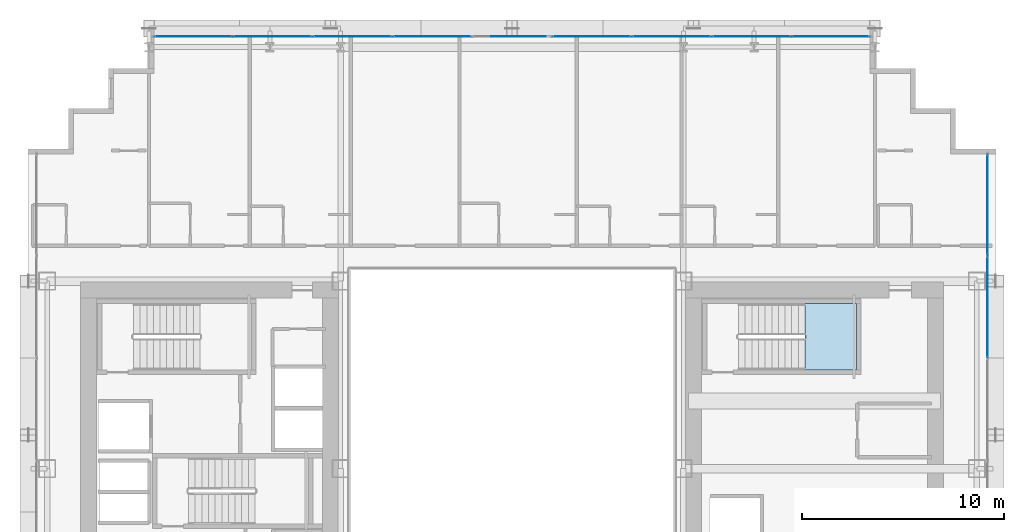
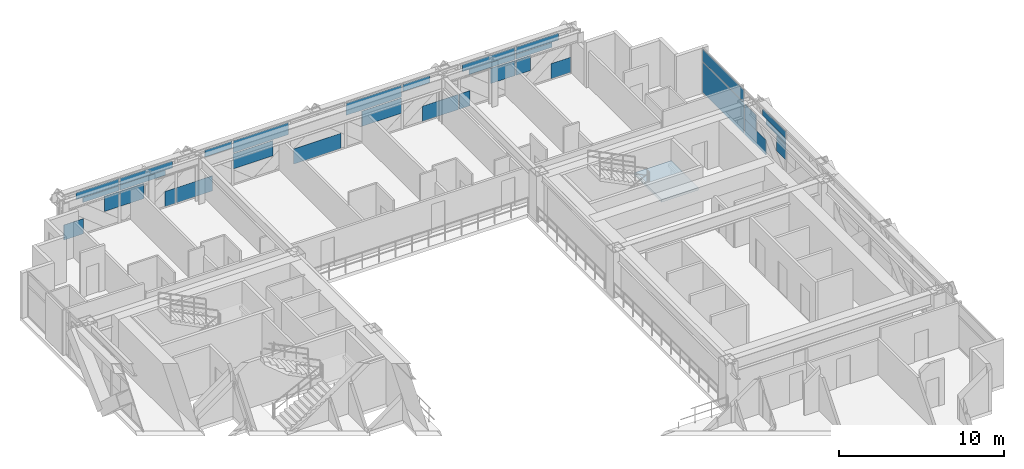
# One storey, part 27 of 38: 32 plates, 1 slab, 3 elements without a shape of their own.
"""IFC4 building model written with IfcOpenShell, lengths in metres."""

from ifc_helpers import new_model, si_unit, direction, frame, origin, origin_2d, place, context, subcontext, project, spatial, polyline, rectangle, outline, extrude, source, transform, mapped, material, layer, layer_set, type_object, element, aggregate, save


model = new_model("IFC4")

# Units and contexts
model_context = context("Model", 3, precision=1e-05, world=origin(), true_north=direction((0.0, 1.0)))
body_context = subcontext(model_context, "Body", "Model", "MODEL_VIEW")
ifc_project = project(units=[si_unit("LENGTHUNIT", "METRE"), si_unit("AREAUNIT", "SQUARE_METRE"), si_unit("VOLUMEUNIT", "CUBIC_METRE"), si_unit("PLANEANGLEUNIT", "RADIAN"), si_unit("MASSUNIT", "GRAM", prefix="KILO")], contexts=[model_context])

# Site, building, storey
site_placement = place(None, origin())
site = spatial("IfcSite", under=ifc_project, at=site_placement, CompositionType="ELEMENT")
building_placement = place(site_placement, origin())
building = spatial("IfcBuilding", under=site, at=building_placement, Name="Ocotamira Hotel", CompositionType="ELEMENT")
storey_placement = place(building_placement, frame((0.0, 0.0, 74.39990234375)))
storey = spatial("IfcBuildingStorey", under=building, at=storey_placement, Name="L18", CompositionType="ELEMENT", Elevation=74.39990234375)

# Stair, slab
ifc_material_1 = material(Name="Concrete C40/50", Category="concrete")
stair_type = type_object("IfcStairType", Name="ST-CORE-1560", PredefinedType="HALF_TURN_STAIR", material=ifc_material_1)
stair_placement = place(storey_placement, origin())
stair = element("IfcStair", 1, at=stair_placement, inside=storey, type_object=stair_type, Name="L18 Exit Stair ST-4", PredefinedType="HALF_TURN_STAIR")
ifc_layer_1 = layer(ifc_material_1, 0.199951171875)
ifc_layer_set_1 = layer_set([ifc_layer_1], Name="Concrete C40/50")
slab_type = type_object("IfcSlabType", Name="SLB-LAND-200", PredefinedType="LANDING", material=ifc_layer_set_1)
slab_placement = place(storey_placement, frame((0.0, 0.0, 1.60009765625)))
slab = element("IfcSlab", 2, at=slab_placement, type_object=slab_type, Name="ST-4 landing 1", PredefinedType="LANDING", context=body_context, shape_type="SweptSolid", body=[
    extrude(outline(polyline([(46.530029296875, 33.050048828125), (49.090087890625, 33.050048828125), (49.090087890625, 36.330078125), (46.530029296875, 36.330078125), (46.530029296875, 33.050048828125)])), origin(), (0.0, 0.0, 1.0), 0.199951171875),
])
aggregate(stair, [slab])

# Curtain wall, plates
ifc_material_2 = material(Name="Anodised pale-metal aluminium and solar glass", Category="aluminium")
ifc_layer_2 = layer(ifc_material_2, 0.179931640625)
ifc_layer_set_2 = layer_set([ifc_layer_2], Name="Anodised pale-metal aluminium and solar glass")
curtain_wall_type = type_object("IfcCurtainWallType", Name="CW-SYS2-Z1", PredefinedType="NOTDEFINED", material=ifc_layer_set_2)
curtain_wall_1_placement = place(storey_placement, origin())
curtain_wall_1 = element("IfcCurtainWall", 3, at=curtain_wall_1_placement, inside=storey, type_object=curtain_wall_type, Name="L18 Curtain Wall CW-2 CW-L18-N", PredefinedType="NOTDEFINED")
ifc_material_3 = material(Name="Double-silver low-E insulated solar glass", Category="glass")
ifc_layer_3 = layer(ifc_material_3, 0.031982421875)
ifc_layer_set_3 = layer_set([ifc_layer_3], Name="Double-silver low-E insulated solar glass")
plate_type = type_object("IfcPlateType", Name="CWP-VISION-32", PredefinedType="CURTAIN_PANEL", material=ifc_layer_set_3)
shared_shape_1 = source(origin(), body_context, "Body", "SweptSolid", [
    extrude(rectangle(XDim=3.87548828125, YDim=0.031982421875, at=origin_2d()), origin(), (0.0, 0.0, 1.0), 0.887451171875),
])
plate_1_placement = place(storey_placement, frame((28.04443359375, 49.580078125, 2.3876953125), z_axis=(0.0, 0.0, 1.0), x_axis=(1.0, 0.0, 0.0)))
plate_1 = element("IfcPlate", 4, at=plate_1_placement, type_object=plate_type, Name="CW-2 panel 4.2", PredefinedType="CURTAIN_PANEL", context=body_context, shape_type="MappedRepresentation", body=[
    mapped(shared_shape_1, transform((0.0, 0.0, 0.0), scale=1.0)),
])
plate_2_placement = place(storey_placement, frame((35.95556640625, 49.580078125, 2.3876953125), z_axis=(0.0, 0.0, 1.0), x_axis=(1.0, 0.0, 0.0)))
plate_2 = element("IfcPlate", 5, at=plate_2_placement, type_object=plate_type, Name="CW-2 panel 6.2", PredefinedType="CURTAIN_PANEL", context=body_context, shape_type="MappedRepresentation", body=[
    mapped(shared_shape_1, transform((0.0, 0.0, 0.0), scale=1.0)),
])

curtain_wall_2_placement = place(storey_placement, origin())
curtain_wall_2 = element("IfcCurtainWall", 6, at=curtain_wall_2_placement, inside=storey, type_object=curtain_wall_type, Name="L18 Curtain Wall CW-2 CW-L18-E", PredefinedType="NOTDEFINED")
shared_shape_2 = source(origin(), body_context, "Body", "SweptSolid", [
    extrude(rectangle(XDim=4.9658203125, YDim=0.031982421875, at=origin_2d()), origin(), (0.0, 0.0, 1.0), 2.237548828125),
])
plate_3_placement = place(storey_placement, frame((55.580078125, 41.237060546875, 0.0751953125), z_axis=(0.0, 0.0, 1.0), x_axis=(0.0, 1.0, 0.0)))
plate_3 = element("IfcPlate", 7, at=plate_3_placement, type_object=plate_type, Name="CW-2 panel 7.1", PredefinedType="CURTAIN_PANEL", context=body_context, shape_type="MappedRepresentation", body=[
    mapped(shared_shape_2, transform((0.0, 0.0, 0.0), scale=1.0)),
])
shared_shape_3 = source(origin(), body_context, "Body", "SweptSolid", [
    extrude(rectangle(XDim=4.9658203125, YDim=0.031982421875, at=origin_2d()), origin(), (0.0, 0.0, 1.0), 0.887451171875),
])
plate_4_placement = place(storey_placement, frame((55.580078125, 41.237060546875, 2.3876953125), z_axis=(0.0, 0.0, 1.0), x_axis=(0.0, 1.0, 0.0)))
plate_4 = element("IfcPlate", 8, at=plate_4_placement, type_object=plate_type, Name="CW-2 panel 7.2", PredefinedType="CURTAIN_PANEL", context=body_context, shape_type="MappedRepresentation", body=[
    mapped(shared_shape_3, transform((0.0, 0.0, 0.0), scale=1.0)),
])

# Plate
shared_shape_4 = source(origin(), body_context, "Body", "SweptSolid", [
    extrude(rectangle(XDim=2.9755859375, YDim=0.031982421875, at=origin_2d()), origin(), (0.0, 0.0, 1.0), 0.5107421875),
])
plate_5_placement = place(storey_placement, frame((16.627685546875, 49.580078125, 2.764404296875), z_axis=(0.0, 0.0, 1.0), x_axis=(1.0, 0.0, 0.0)))
plate_5 = element("IfcPlate", 9, at=plate_5_placement, type_object=plate_type, Name="CW-2 panel 1.2.1", PredefinedType="CURTAIN_PANEL", context=body_context, shape_type="MappedRepresentation", body=[
    mapped(shared_shape_4, transform((0.0, 0.0, 0.0), scale=1.0)),
])

plate_6_placement = place(storey_placement, frame((47.372314453125, 49.580078125, 2.764404296875), z_axis=(0.0, 0.0, 1.0), x_axis=(1.0, 0.0, 0.0)))
plate_6 = element("IfcPlate", 10, at=plate_6_placement, type_object=plate_type, Name="CW-2 panel 9.2.2", PredefinedType="CURTAIN_PANEL", context=body_context, shape_type="MappedRepresentation", body=[
    mapped(shared_shape_4, transform((0.0, 0.0, 0.0), scale=1.0)),
])

shared_shape_5 = source(origin(), body_context, "Body", "SweptSolid", [
    extrude(rectangle(XDim=2.504638671875, YDim=0.031982421875, at=origin_2d()), origin(), (0.0, 0.0, 1.0), 0.345458984375),
])
plate_7_placement = place(storey_placement, frame((16.86328125, 49.580078125, 2.3876953125), z_axis=(0.0, 0.0, 1.0), x_axis=(1.0, 0.0, 0.0)))
plate_7 = element("IfcPlate", 11, at=plate_7_placement, type_object=plate_type, Name="CW-2 panel 1.2.2", PredefinedType="CURTAIN_PANEL", context=body_context, shape_type="MappedRepresentation", body=[
    mapped(shared_shape_5, transform((0.0, 0.0, 0.0), scale=1.0)),
])

plate_8_placement = place(storey_placement, frame((47.13671875, 49.580078125, 2.3876953125), z_axis=(0.0, 0.0, 1.0), x_axis=(1.0, 0.0, 0.0)))
plate_8 = element("IfcPlate", 12, at=plate_8_placement, type_object=plate_type, Name="CW-2 panel 9.2.1", PredefinedType="CURTAIN_PANEL", context=body_context, shape_type="MappedRepresentation", body=[
    mapped(shared_shape_5, transform((0.0, 0.0, 0.0), scale=1.0)),
])

shared_shape_6 = source(origin(), body_context, "Body", "SweptSolid", [
    extrude(rectangle(XDim=3.193603515625, YDim=0.031982421875, at=origin_2d()), origin(), (0.0, 0.0, 1.0), 0.376708984375),
])
plate_9_placement = place(storey_placement, frame((19.792236328125, 49.580078125, 2.3876953125), z_axis=(0.0, 0.0, 1.0), x_axis=(1.0, 0.0, 0.0)))
plate_9 = element("IfcPlate", 13, at=plate_9_placement, type_object=plate_type, Name="CW-2 panel 2.2.1", PredefinedType="CURTAIN_PANEL", context=body_context, shape_type="MappedRepresentation", body=[
    mapped(shared_shape_6, transform((0.0, 0.0, 0.0), scale=1.0)),
])

plate_10_placement = place(storey_placement, frame((44.207763671875, 49.580078125, 2.3876953125), z_axis=(0.0, 0.0, 1.0), x_axis=(1.0, 0.0, 0.0)))
plate_10 = element("IfcPlate", 14, at=plate_10_placement, type_object=plate_type, Name="CW-2 panel 8.2.2", PredefinedType="CURTAIN_PANEL", context=body_context, shape_type="MappedRepresentation", body=[
    mapped(shared_shape_6, transform((0.0, 0.0, 0.0), scale=1.0)),
])

shared_shape_7 = source(origin(), body_context, "Body", "SweptSolid", [
    extrude(rectangle(XDim=3.664306640625, YDim=0.031982421875, at=origin_2d()), origin(), (0.0, 0.0, 1.0), 0.5107421875),
])
plate_11_placement = place(storey_placement, frame((20.027587890625, 49.580078125, 2.764404296875), z_axis=(0.0, 0.0, 1.0), x_axis=(1.0, 0.0, 0.0)))
plate_11 = element("IfcPlate", 15, at=plate_11_placement, type_object=plate_type, Name="CW-2 panel 2.2.2", PredefinedType="CURTAIN_PANEL", context=body_context, shape_type="MappedRepresentation", body=[
    mapped(shared_shape_7, transform((0.0, 0.0, 0.0), scale=1.0)),
])

plate_12_placement = place(storey_placement, frame((43.972412109375, 49.580078125, 2.764404296875), z_axis=(0.0, 0.0, 1.0), x_axis=(1.0, 0.0, 0.0)))
plate_12 = element("IfcPlate", 16, at=plate_12_placement, type_object=plate_type, Name="CW-2 panel 8.2.1", PredefinedType="CURTAIN_PANEL", context=body_context, shape_type="MappedRepresentation", body=[
    mapped(shared_shape_7, transform((0.0, 0.0, 0.0), scale=1.0)),
])

shared_shape_8 = source(origin(), body_context, "Body", "SweptSolid", [
    extrude(rectangle(XDim=1.88671875, YDim=0.031982421875, at=origin_2d()), origin(), (0.0, 0.0, 1.0), 0.5107421875),
])
plate_13_placement = place(storey_placement, frame((25.08349609375, 49.580078125, 2.764404296875), z_axis=(0.0, 0.0, 1.0), x_axis=(1.0, 0.0, 0.0)))
plate_13 = element("IfcPlate", 17, at=plate_13_placement, type_object=plate_type, Name="CW-2 panel 3.2.1", PredefinedType="CURTAIN_PANEL", context=body_context, shape_type="MappedRepresentation", body=[
    mapped(shared_shape_8, transform((0.0, 0.0, 0.0), scale=1.0)),
])

plate_14_placement = place(storey_placement, frame((38.91650390625, 49.580078125, 2.764404296875), z_axis=(0.0, 0.0, 1.0), x_axis=(1.0, 0.0, 0.0)))
plate_14 = element("IfcPlate", 18, at=plate_14_placement, type_object=plate_type, Name="CW-2 panel 7.2.1", PredefinedType="CURTAIN_PANEL", context=body_context, shape_type="MappedRepresentation", body=[
    mapped(shared_shape_8, transform((0.0, 0.0, 0.0), scale=1.0)),
])

shared_shape_9 = source(origin(), body_context, "Body", "SweptSolid", [
    extrude(rectangle(XDim=2.796630859375, YDim=0.031982421875, at=origin_2d()), origin(), (0.0, 0.0, 1.0), 0.485107421875),
])
plate_15_placement = place(storey_placement, frame((55.580078125, 35.06689453125, 2.7900390625), z_axis=(0.0, 0.0, 1.0), x_axis=(0.0, 1.0, 0.0)))
plate_15 = element("IfcPlate", 19, at=plate_15_placement, type_object=plate_type, Name="CW-2 panel 6.2.2", PredefinedType="CURTAIN_PANEL", context=body_context, shape_type="MappedRepresentation", body=[
    mapped(shared_shape_9, transform((0.0, 0.0, 0.0), scale=1.0)),
])

shared_shape_10 = source(origin(), body_context, "Body", "SweptSolid", [
    extrude(rectangle(XDim=2.3701171875, YDim=0.031982421875, at=origin_2d()), origin(), (0.0, 0.0, 1.0), 0.367919921875),
])
plate_16_placement = place(storey_placement, frame((55.580078125, 34.853759765625, 2.3876953125), z_axis=(0.0, 0.0, 1.0), x_axis=(0.0, 1.0, 0.0)))
plate_16 = element("IfcPlate", 20, at=plate_16_placement, type_object=plate_type, Name="CW-2 panel 6.2.1", PredefinedType="CURTAIN_PANEL", context=body_context, shape_type="MappedRepresentation", body=[
    mapped(shared_shape_10, transform((0.0, 0.0, 0.0), scale=1.0)),
])

shared_shape_11 = source(origin(), body_context, "Body", "SweptSolid", [
    extrude(rectangle(XDim=1.382568359375, YDim=0.031982421875, at=origin_2d()), origin(), (0.0, 0.0, 1.0), 1.118896484375),
])
plate_17_placement = place(storey_placement, frame((14.97119140625, 49.580078125, 0.0751953125), z_axis=(0.0, 0.0, 1.0), x_axis=(1.0, 0.0, 0.0)))
plate_17 = element("IfcPlate", 21, at=plate_17_placement, type_object=plate_type, Name="CW-2 panel 1.1.1", PredefinedType="CURTAIN_PANEL", context=body_context, shape_type="MappedRepresentation", body=[
    mapped(shared_shape_11, transform((0.0, 0.0, 0.0), scale=1.0)),
])

plate_18_placement = place(storey_placement, frame((49.02880859375, 49.580078125, 0.0751953125), z_axis=(0.0, 0.0, 1.0), x_axis=(1.0, 0.0, 0.0)))
plate_18 = element("IfcPlate", 22, at=plate_18_placement, type_object=plate_type, Name="CW-2 panel 9.1.2", PredefinedType="CURTAIN_PANEL", context=body_context, shape_type="MappedRepresentation", body=[
    mapped(shared_shape_11, transform((0.0, 0.0, 0.0), scale=1.0)),
])

shared_shape_12 = source(origin(), body_context, "Body", "SweptSolid", [
    extrude(rectangle(XDim=0.733642578125, YDim=0.031982421875, at=origin_2d()), origin(), (0.0, 0.0, 1.0), 1.118896484375),
])
plate_19_placement = place(storey_placement, frame((21.704345703125, 49.580078125, 0.0751953125), z_axis=(0.0, 0.0, 1.0), x_axis=(1.0, 0.0, 0.0)))
plate_19 = element("IfcPlate", 23, at=plate_19_placement, type_object=plate_type, Name="CW-2 panel 2.1.2", PredefinedType="CURTAIN_PANEL", context=body_context, shape_type="MappedRepresentation", body=[
    mapped(shared_shape_12, transform((0.0, 0.0, 0.0), scale=1.0)),
])

plate_20_placement = place(storey_placement, frame((42.295654296875, 49.580078125, 0.0751953125), z_axis=(0.0, 0.0, 1.0), x_axis=(1.0, 0.0, 0.0)))
plate_20 = element("IfcPlate", 24, at=plate_20_placement, type_object=plate_type, Name="CW-2 panel 8.1.1", PredefinedType="CURTAIN_PANEL", context=body_context, shape_type="MappedRepresentation", body=[
    mapped(shared_shape_12, transform((0.0, 0.0, 0.0), scale=1.0)),
])

shared_shape_13 = source(origin(), body_context, "Body", "SweptSolid", [
    extrude(rectangle(XDim=2.51123046875, YDim=0.031982421875, at=origin_2d()), origin(), (0.0, 0.0, 1.0), 1.118896484375),
])
plate_21_placement = place(storey_placement, frame((23.40673828125, 49.580078125, 0.0751953125), z_axis=(0.0, 0.0, 1.0), x_axis=(1.0, 0.0, 0.0)))
plate_21 = element("IfcPlate", 25, at=plate_21_placement, type_object=plate_type, Name="CW-2 panel 3.1.1", PredefinedType="CURTAIN_PANEL", context=body_context, shape_type="MappedRepresentation", body=[
    mapped(shared_shape_13, transform((0.0, 0.0, 0.0), scale=1.0)),
])

shared_shape_14 = source(origin(), body_context, "Body", "SweptSolid", [
    extrude(rectangle(XDim=3.324951171875, YDim=0.031982421875, at=origin_2d()), origin(), (0.0, 0.0, 1.0), 1.118896484375),
])
plate_22_placement = place(storey_placement, frame((32.0, 49.580078125, 0.0751953125), z_axis=(0.0, 0.0, 1.0), x_axis=(1.0, 0.0, 0.0)))
plate_22 = element("IfcPlate", 26, at=plate_22_placement, type_object=plate_type, Name="CW-2 panel 5.1.1", PredefinedType="CURTAIN_PANEL", context=body_context, shape_type="MappedRepresentation", body=[
    mapped(shared_shape_14, transform((0.0, 0.0, 0.0), scale=1.0)),
])

shared_shape_15 = source(origin(), body_context, "Body", "SweptSolid", [
    extrude(rectangle(XDim=2.511474609375, YDim=0.031982421875, at=origin_2d()), origin(), (0.0, 0.0, 1.0), 1.118896484375),
])
plate_23_placement = place(storey_placement, frame((40.59326171875, 49.580078125, 0.0751953125), z_axis=(0.0, 0.0, 1.0), x_axis=(1.0, 0.0, 0.0)))
plate_23 = element("IfcPlate", 27, at=plate_23_placement, type_object=plate_type, Name="CW-2 panel 7.1.1", PredefinedType="CURTAIN_PANEL", context=body_context, shape_type="MappedRepresentation", body=[
    mapped(shared_shape_15, transform((0.0, 0.0, 0.0), scale=1.0)),
])

shared_shape_16 = source(origin(), body_context, "Body", "SweptSolid", [
    extrude(rectangle(XDim=2.58935546875, YDim=0.031982421875, at=origin_2d()), origin(), (0.0, 0.0, 1.0), 1.118896484375),
])
plate_24_placement = place(storey_placement, frame((55.580078125, 37.379638671875, 0.0751953125), z_axis=(0.0, 0.0, 1.0), x_axis=(0.0, 1.0, 0.0)))
plate_24 = element("IfcPlate", 28, at=plate_24_placement, type_object=plate_type, Name="CW-2 panel 6.1.2", PredefinedType="CURTAIN_PANEL", context=body_context, shape_type="MappedRepresentation", body=[
    mapped(shared_shape_16, transform((0.0, 0.0, 0.0), scale=1.0)),
])

shared_shape_17 = source(origin(), body_context, "Body", "SweptSolid", [
    extrude(rectangle(XDim=1.012451171875, YDim=0.031982421875, at=origin_2d()), origin(), (0.0, 0.0, 1.0), 1.118896484375),
])
plate_25_placement = place(storey_placement, frame((17.609375, 49.580078125, 1.19384765625), z_axis=(0.0, 0.0, 1.0), x_axis=(1.0, 0.0, 0.0)))
plate_25 = element("IfcPlate", 29, at=plate_25_placement, type_object=plate_type, Name="CW-2 panel 1.1.2", PredefinedType="CURTAIN_PANEL", context=body_context, shape_type="MappedRepresentation", body=[
    mapped(shared_shape_17, transform((0.0, 0.0, 0.0), scale=1.0)),
])

plate_26_placement = place(storey_placement, frame((46.390625, 49.580078125, 1.19384765625), z_axis=(0.0, 0.0, 1.0), x_axis=(1.0, 0.0, 0.0)))
plate_26 = element("IfcPlate", 30, at=plate_26_placement, type_object=plate_type, Name="CW-2 panel 9.1.1", PredefinedType="CURTAIN_PANEL", context=body_context, shape_type="MappedRepresentation", body=[
    mapped(shared_shape_17, transform((0.0, 0.0, 0.0), scale=1.0)),
])

shared_shape_18 = source(origin(), body_context, "Body", "SweptSolid", [
    extrude(rectangle(XDim=1.701416015625, YDim=0.031982421875, at=origin_2d()), origin(), (0.0, 0.0, 1.0), 1.118896484375),
])
plate_27_placement = place(storey_placement, frame((19.046142578125, 49.580078125, 1.19384765625), z_axis=(0.0, 0.0, 1.0), x_axis=(1.0, 0.0, 0.0)))
plate_27 = element("IfcPlate", 31, at=plate_27_placement, type_object=plate_type, Name="CW-2 panel 2.1.1", PredefinedType="CURTAIN_PANEL", context=body_context, shape_type="MappedRepresentation", body=[
    mapped(shared_shape_18, transform((0.0, 0.0, 0.0), scale=1.0)),
])

plate_28_placement = place(storey_placement, frame((44.953857421875, 49.580078125, 1.19384765625), z_axis=(0.0, 0.0, 1.0), x_axis=(1.0, 0.0, 0.0)))
plate_28 = element("IfcPlate", 32, at=plate_28_placement, type_object=plate_type, Name="CW-2 panel 8.1.2", PredefinedType="CURTAIN_PANEL", context=body_context, shape_type="MappedRepresentation", body=[
    mapped(shared_shape_18, transform((0.0, 0.0, 0.0), scale=1.0)),
])

shared_shape_19 = source(origin(), body_context, "Body", "SweptSolid", [
    extrude(rectangle(XDim=2.790283203125, YDim=0.031982421875, at=origin_2d()), origin(), (0.0, 0.0, 1.0), 1.118896484375),
])
plate_29_placement = place(storey_placement, frame((27.501708984375, 49.580078125, 1.19384765625), z_axis=(0.0, 0.0, 1.0), x_axis=(1.0, 0.0, 0.0)))
plate_29 = element("IfcPlate", 33, at=plate_29_placement, type_object=plate_type, Name="CW-2 panel 4.1.1", PredefinedType="CURTAIN_PANEL", context=body_context, shape_type="MappedRepresentation", body=[
    mapped(shared_shape_19, transform((0.0, 0.0, 0.0), scale=1.0)),
])

plate_30_placement = place(storey_placement, frame((36.498291015625, 49.580078125, 1.19384765625), z_axis=(0.0, 0.0, 1.0), x_axis=(1.0, 0.0, 0.0)))
plate_30 = element("IfcPlate", 34, at=plate_30_placement, type_object=plate_type, Name="CW-2 panel 6.1.1", PredefinedType="CURTAIN_PANEL", context=body_context, shape_type="MappedRepresentation", body=[
    mapped(shared_shape_19, transform((0.0, 0.0, 0.0), scale=1.0)),
])

aggregate(curtain_wall_1, [plate_17, plate_25, plate_5, plate_7, plate_27, plate_19, plate_9, plate_11, plate_21, plate_13, plate_29, plate_1, plate_22, plate_30, plate_2, plate_23, plate_14, plate_20, plate_28, plate_12, plate_10, plate_26, plate_18, plate_8, plate_6])

shared_shape_20 = source(origin(), body_context, "Body", "SweptSolid", [
    extrude(rectangle(XDim=1.4033203125, YDim=0.031982421875, at=origin_2d()), origin(), (0.0, 0.0, 1.0), 1.118896484375),
])
plate_31_placement = place(storey_placement, frame((55.580078125, 37.97265625, 1.19384765625), z_axis=(0.0, 0.0, 1.0), x_axis=(0.0, 1.0, 0.0)))
plate_31 = element("IfcPlate", 35, at=plate_31_placement, type_object=plate_type, Name="CW-2 panel 6.1.3", PredefinedType="CURTAIN_PANEL", context=body_context, shape_type="MappedRepresentation", body=[
    mapped(shared_shape_20, transform((0.0, 0.0, 0.0), scale=1.0)),
])

shared_shape_21 = source(origin(), body_context, "Body", "SweptSolid", [
    extrude(rectangle(XDim=1.104736328125, YDim=0.031982421875, at=origin_2d()), origin(), (0.0, 0.0, 1.0), 1.118896484375),
])
plate_32_placement = place(storey_placement, frame((55.580078125, 34.220947265625, 1.19384765625), z_axis=(0.0, 0.0, 1.0), x_axis=(0.0, 1.0, 0.0)))
plate_32 = element("IfcPlate", 36, at=plate_32_placement, type_object=plate_type, Name="CW-2 panel 6.1.1", PredefinedType="CURTAIN_PANEL", context=body_context, shape_type="MappedRepresentation", body=[
    mapped(shared_shape_21, transform((0.0, 0.0, 0.0), scale=1.0)),
])

aggregate(curtain_wall_2, [plate_32, plate_24, plate_31, plate_16, plate_15, plate_3, plate_4])

save(model, "model.ifc")
